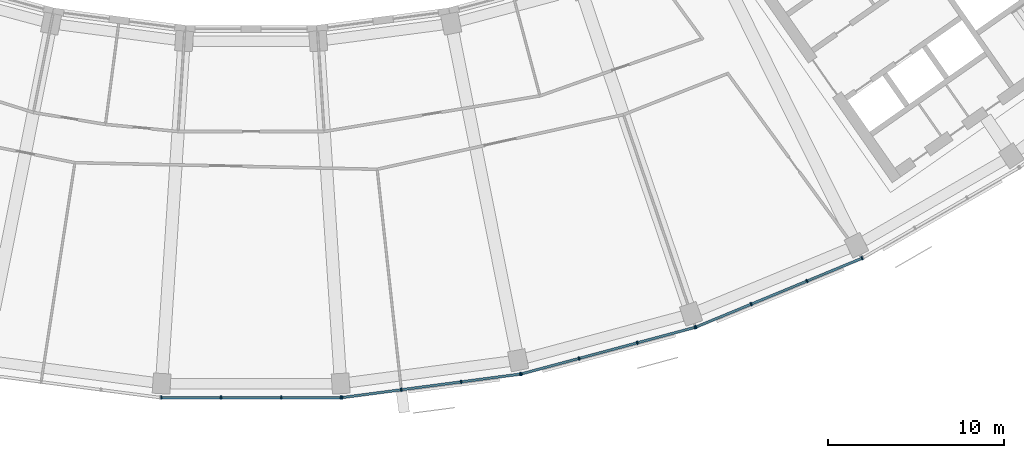
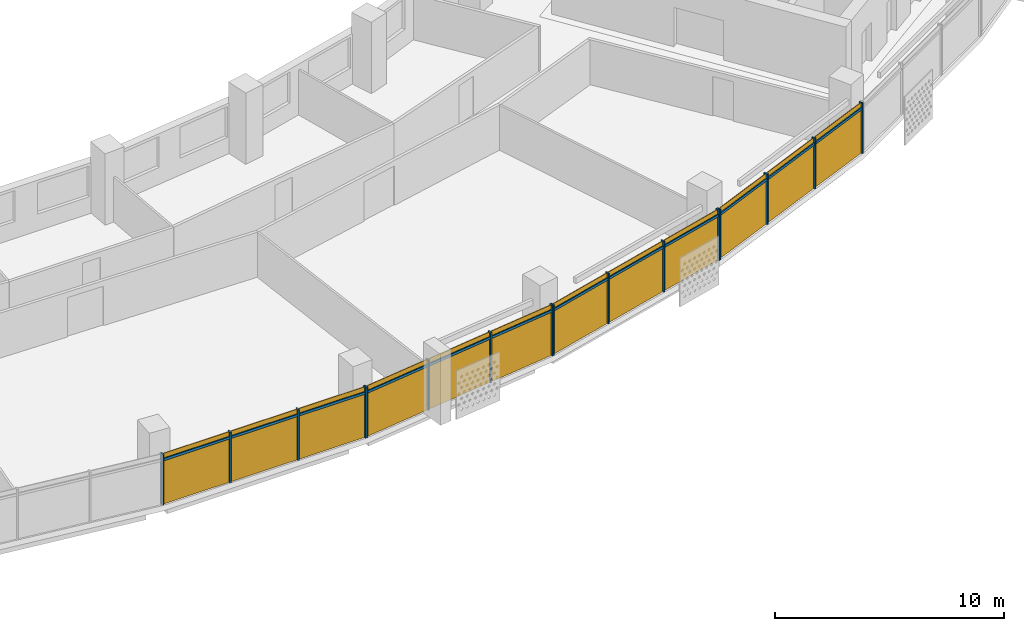
# One storey, part 21 of 28: 28 members, 4 curtain walls.
"""IFC4 building model written with IfcOpenShell, lengths in metres."""

from ifc_helpers import new_model, si_unit, direction, frame, origin, origin_2d, place, context, subcontext, project, spatial, rectangle, extrude, material, material_profile, profile_set, type_object, element, aggregate, save


model = new_model("IFC4")

# Units and contexts
model_context = context("Model", 3, precision=1e-05, world=origin(), true_north=direction((0.0, 1.0)))
body_context = subcontext(model_context, "Body", "Model", "MODEL_VIEW")
ifc_project = project(units=[si_unit("LENGTHUNIT", "METRE"), si_unit("AREAUNIT", "SQUARE_METRE"), si_unit("VOLUMEUNIT", "CUBIC_METRE"), si_unit("PLANEANGLEUNIT", "RADIAN"), si_unit("MASSUNIT", "GRAM", prefix="KILO")], contexts=[model_context])

# Member
ifc_material = material(Name="Aluminium 6063-T6 anodised", Category="aluminium")
ifc_material_profile_1 = material_profile(ifc_material, rectangle(XDim=0.199951171875, YDim=0.070068359375, at=origin_2d()))
ifc_profile_set_1 = profile_set([ifc_material_profile_1], Name="Aluminium 6063-T6 anodised")
member_type_1 = type_object("IfcMemberType", Name="Mullion 70 x 200 aluminium", PredefinedType="MULLION", material=ifc_profile_set_1)
site_placement = place(None, origin())
building_placement = place(site_placement, origin())
storey_placement = place(building_placement, frame((0.0, 0.0, 215.10009765625)))
member_1_placement = place(storey_placement, frame((-5.10888671875, -78.381591796875, 0.0), z_axis=(0.0, 0.0, 1.0), x_axis=(0.0, 1.0, 0.0)))
member_1 = element("IfcMember", 1, at=member_1_placement, type_object=member_type_1, Name="e-cw1-L51-out08/M00", PredefinedType="MULLION", context=body_context, shape_type="SweptSolid", body=[
    extrude(rectangle(XDim=0.199951171875, YDim=0.070068359375, at=origin_2d()), origin(), (0.0, 0.0, 1.0), 2.699951171875),
])

member_2_placement = place(storey_placement, frame((-1.714599609375, -78.381591796875, 0.0), z_axis=(0.0, 0.0, 1.0), x_axis=(0.0, 1.0, 0.0)))
member_2 = element("IfcMember", 2, at=member_2_placement, type_object=member_type_1, Name="e-cw1-L51-out08/M01", PredefinedType="MULLION", context=body_context, shape_type="SweptSolid", body=[
    extrude(rectangle(XDim=0.199951171875, YDim=0.070068359375, at=origin_2d()), origin(), (0.0, 0.0, 1.0), 2.699951171875),
])

member_3_placement = place(storey_placement, frame((1.714599609375, -78.381591796875, 0.0), z_axis=(0.0, 0.0, 1.0), x_axis=(0.0, 1.0, 0.0)))
member_3 = element("IfcMember", 3, at=member_3_placement, type_object=member_type_1, Name="e-cw1-L51-out08/M02", PredefinedType="MULLION", context=body_context, shape_type="SweptSolid", body=[
    extrude(rectangle(XDim=0.199951171875, YDim=0.070068359375, at=origin_2d()), origin(), (0.0, 0.0, 1.0), 2.699951171875),
])

member_4_placement = place(storey_placement, frame((5.10888671875, -78.381591796875, 0.0), z_axis=(0.0, 0.0, 1.0), x_axis=(0.0, 1.0, 0.0)))
member_4 = element("IfcMember", 4, at=member_4_placement, type_object=member_type_1, Name="e-cw1-L51-out08/M03", PredefinedType="MULLION", context=body_context, shape_type="SweptSolid", body=[
    extrude(rectangle(XDim=0.199951171875, YDim=0.070068359375, at=origin_2d()), origin(), (0.0, 0.0, 1.0), 2.699951171875),
])

member_5_placement = place(storey_placement, frame((5.16552734375, -78.3779296875, 0.0), z_axis=(0.0, 0.0, 1.0), x_axis=(-0.13052619222, 0.991444861374, 0.0)))
member_5 = element("IfcMember", 5, at=member_5_placement, type_object=member_type_1, Name="e-cw1-L51-out09/M00", PredefinedType="MULLION", context=body_context, shape_type="SweptSolid", body=[
    extrude(rectangle(XDim=0.199951171875, YDim=0.070068359375, at=origin_2d()), origin(), (0.0, 0.0, 1.0), 2.699951171875),
])

member_6_placement = place(storey_placement, frame((8.53076171875, -77.934814453125, 0.0), z_axis=(0.0, 0.0, 1.0), x_axis=(-0.13052619222, 0.991444861374, 0.0)))
member_6 = element("IfcMember", 6, at=member_6_placement, type_object=member_type_1, Name="e-cw1-L51-out09/M01", PredefinedType="MULLION", context=body_context, shape_type="SweptSolid", body=[
    extrude(rectangle(XDim=0.199951171875, YDim=0.070068359375, at=origin_2d()), origin(), (0.0, 0.0, 1.0), 2.699951171875),
])

member_7_placement = place(storey_placement, frame((11.930908203125, -77.4873046875, 0.0), z_axis=(0.0, 0.0, 1.0), x_axis=(-0.13052619222, 0.991444861374, 0.0)))
member_7 = element("IfcMember", 7, at=member_7_placement, type_object=member_type_1, Name="e-cw1-L51-out09/M02", PredefinedType="MULLION", context=body_context, shape_type="SweptSolid", body=[
    extrude(rectangle(XDim=0.199951171875, YDim=0.070068359375, at=origin_2d()), origin(), (0.0, 0.0, 1.0), 2.699951171875),
])

member_8_placement = place(storey_placement, frame((15.296142578125, -77.044189453125, 0.0), z_axis=(0.0, 0.0, 1.0), x_axis=(-0.13052619222, 0.991444861374, 0.0)))
member_8 = element("IfcMember", 8, at=member_8_placement, type_object=member_type_1, Name="e-cw1-L51-out09/M03", PredefinedType="MULLION", context=body_context, shape_type="SweptSolid", body=[
    extrude(rectangle(XDim=0.199951171875, YDim=0.070068359375, at=origin_2d()), origin(), (0.0, 0.0, 1.0), 2.699951171875),
])

member_9_placement = place(storey_placement, frame((15.351806640625, -77.033203125, 0.0), z_axis=(0.0, 0.0, 1.0), x_axis=(-0.258819045103, 0.965925826289, 0.0)))
member_9 = element("IfcMember", 9, at=member_9_placement, type_object=member_type_1, Name="e-cw1-L51-out10/M00", PredefinedType="MULLION", context=body_context, shape_type="SweptSolid", body=[
    extrude(rectangle(XDim=0.199951171875, YDim=0.070068359375, at=origin_2d()), origin(), (0.0, 0.0, 1.0), 2.699951171875),
])

member_10_placement = place(storey_placement, frame((18.63037109375, -76.154541015625, 0.0), z_axis=(0.0, 0.0, 1.0), x_axis=(-0.258819045103, 0.965925826289, 0.0)))
member_10 = element("IfcMember", 10, at=member_10_placement, type_object=member_type_1, Name="e-cw1-L51-out10/M01", PredefinedType="MULLION", context=body_context, shape_type="SweptSolid", body=[
    extrude(rectangle(XDim=0.199951171875, YDim=0.070068359375, at=origin_2d()), origin(), (0.0, 0.0, 1.0), 2.699951171875),
])

member_11_placement = place(storey_placement, frame((21.94287109375, -75.26708984375, 0.0), z_axis=(0.0, 0.0, 1.0), x_axis=(-0.258819045103, 0.965925826289, 0.0)))
member_11 = element("IfcMember", 11, at=member_11_placement, type_object=member_type_1, Name="e-cw1-L51-out10/M02", PredefinedType="MULLION", context=body_context, shape_type="SweptSolid", body=[
    extrude(rectangle(XDim=0.199951171875, YDim=0.070068359375, at=origin_2d()), origin(), (0.0, 0.0, 1.0), 2.699951171875),
])

member_12_placement = place(storey_placement, frame((25.221435546875, -74.388427734375, 0.0), z_axis=(0.0, 0.0, 1.0), x_axis=(-0.258819045103, 0.965925826289, 0.0)))
member_12 = element("IfcMember", 12, at=member_12_placement, type_object=member_type_1, Name="e-cw1-L51-out10/M03", PredefinedType="MULLION", context=body_context, shape_type="SweptSolid", body=[
    extrude(rectangle(XDim=0.199951171875, YDim=0.070068359375, at=origin_2d()), origin(), (0.0, 0.0, 1.0), 2.699951171875),
])

member_13_placement = place(storey_placement, frame((25.275390625, -74.370361328125, 0.0), z_axis=(0.0, 0.0, 1.0), x_axis=(-0.382683432365, 0.923879532511, 0.0)))
member_13 = element("IfcMember", 13, at=member_13_placement, type_object=member_type_1, Name="e-cw1-L51-out11/M00", PredefinedType="MULLION", context=body_context, shape_type="SweptSolid", body=[
    extrude(rectangle(XDim=0.199951171875, YDim=0.070068359375, at=origin_2d()), origin(), (0.0, 0.0, 1.0), 2.699951171875),
])

member_14_placement = place(storey_placement, frame((28.4111328125, -73.0712890625, 0.0), z_axis=(0.0, 0.0, 1.0), x_axis=(-0.382683432365, 0.923879532511, 0.0)))
member_14 = element("IfcMember", 14, at=member_14_placement, type_object=member_type_1, Name="e-cw1-L51-out11/M01", PredefinedType="MULLION", context=body_context, shape_type="SweptSolid", body=[
    extrude(rectangle(XDim=0.199951171875, YDim=0.070068359375, at=origin_2d()), origin(), (0.0, 0.0, 1.0), 2.699951171875),
])

member_15_placement = place(storey_placement, frame((31.57958984375, -71.759033203125, 0.0), z_axis=(0.0, 0.0, 1.0), x_axis=(-0.382683432365, 0.923879532511, 0.0)))
member_15 = element("IfcMember", 15, at=member_15_placement, type_object=member_type_1, Name="e-cw1-L51-out11/M02", PredefinedType="MULLION", context=body_context, shape_type="SweptSolid", body=[
    extrude(rectangle(XDim=0.199951171875, YDim=0.070068359375, at=origin_2d()), origin(), (0.0, 0.0, 1.0), 2.699951171875),
])

member_16_placement = place(storey_placement, frame((34.71533203125, -70.4599609375, 0.0), z_axis=(0.0, 0.0, 1.0), x_axis=(-0.382683432365, 0.923879532511, 0.0)))
member_16 = element("IfcMember", 16, at=member_16_placement, type_object=member_type_1, Name="e-cw1-L51-out11/M03", PredefinedType="MULLION", context=body_context, shape_type="SweptSolid", body=[
    extrude(rectangle(XDim=0.199951171875, YDim=0.070068359375, at=origin_2d()), origin(), (0.0, 0.0, 1.0), 2.699951171875),
])

ifc_material_profile_2 = material_profile(ifc_material, rectangle(XDim=0.139892578125, YDim=0.1201171875, at=origin_2d()))
ifc_profile_set_2 = profile_set([ifc_material_profile_2], Name="Aluminium 6063-T6 anodised")
member_type_2 = type_object("IfcMemberType", Name="Transom 120 x 140 aluminium", PredefinedType="USERDEFINED", material=ifc_profile_set_2)
member_17_placement = place(storey_placement, frame((-5.073974609375, -78.381591796875, 2.39990234375), z_axis=(1.0, 0.0, 0.0), x_axis=(0.0, 1.0, 0.0)))
member_17 = element("IfcMember", 17, at=member_17_placement, type_object=member_type_2, Name="e-cw1-L51-out08/T00", ObjectType="TRANSOM", PredefinedType="USERDEFINED", context=body_context, shape_type="SweptSolid", body=[
    extrude(rectangle(XDim=0.139892578125, YDim=0.1201171875, at=origin_2d()), origin(), (0.0, 0.0, 1.0), 3.32421875),
])

member_18_placement = place(storey_placement, frame((-1.6796875, -78.381591796875, 2.39990234375), z_axis=(1.0, 0.0, 0.0), x_axis=(0.0, 1.0, 0.0)))
member_18 = element("IfcMember", 18, at=member_18_placement, type_object=member_type_2, Name="e-cw1-L51-out08/T01", ObjectType="TRANSOM", PredefinedType="USERDEFINED", context=body_context, shape_type="SweptSolid", body=[
    extrude(rectangle(XDim=0.139892578125, YDim=0.1201171875, at=origin_2d()), origin(), (0.0, 0.0, 1.0), 3.359375),
])

member_19_placement = place(storey_placement, frame((1.749755859375, -78.381591796875, 2.39990234375), z_axis=(1.0, 0.0, 0.0), x_axis=(0.0, 1.0, 0.0)))
member_19 = element("IfcMember", 19, at=member_19_placement, type_object=member_type_2, Name="e-cw1-L51-out08/T02", ObjectType="TRANSOM", PredefinedType="USERDEFINED", context=body_context, shape_type="SweptSolid", body=[
    extrude(rectangle(XDim=0.139892578125, YDim=0.1201171875, at=origin_2d()), origin(), (0.0, 0.0, 1.0), 3.32421875),
])

member_20_placement = place(storey_placement, frame((5.2001953125, -78.373291015625, 2.39990234375), z_axis=(0.991447795146, 0.130503906072, 0.0), x_axis=(-0.130503906072, 0.991447795146, 0.0)))
member_20 = element("IfcMember", 20, at=member_20_placement, type_object=member_type_2, Name="e-cw1-L51-out09/T00", ObjectType="TRANSOM", PredefinedType="USERDEFINED", context=body_context, shape_type="SweptSolid", body=[
    extrude(rectangle(XDim=0.139892578125, YDim=0.1201171875, at=origin_2d()), origin(), (0.0, 0.0, 1.0), 3.32421875),
])

member_21_placement = place(storey_placement, frame((8.565673828125, -77.93017578125, 2.39990234375), z_axis=(0.991444893088, 0.130525951326, 0.0), x_axis=(-0.130525951326, 0.991444893088, 0.0)))
member_21 = element("IfcMember", 21, at=member_21_placement, type_object=member_type_2, Name="e-cw1-L51-out09/T01", ObjectType="TRANSOM", PredefinedType="USERDEFINED", context=body_context, shape_type="SweptSolid", body=[
    extrude(rectangle(XDim=0.139892578125, YDim=0.1201171875, at=origin_2d()), origin(), (0.0, 0.0, 1.0), 3.359375),
])

member_22_placement = place(storey_placement, frame((11.965576171875, -77.482666015625, 2.39990234375), z_axis=(0.991447795146, 0.130503906072, 0.0), x_axis=(-0.130503906072, 0.991447795146, 0.0)))
member_22 = element("IfcMember", 22, at=member_22_placement, type_object=member_type_2, Name="e-cw1-L51-out09/T02", ObjectType="TRANSOM", PredefinedType="USERDEFINED", context=body_context, shape_type="SweptSolid", body=[
    extrude(rectangle(XDim=0.139892578125, YDim=0.1201171875, at=origin_2d()), origin(), (0.0, 0.0, 1.0), 3.32421875),
])

member_23_placement = place(storey_placement, frame((15.385498046875, -77.024169921875, 2.39990234375), z_axis=(0.965913629723, 0.258864559019, 0.0), x_axis=(-0.258864559019, 0.965913629723, 0.0)))
member_23 = element("IfcMember", 23, at=member_23_placement, type_object=member_type_2, Name="e-cw1-L51-out10/T00", ObjectType="TRANSOM", PredefinedType="USERDEFINED", context=body_context, shape_type="SweptSolid", body=[
    extrude(rectangle(XDim=0.139892578125, YDim=0.1201171875, at=origin_2d()), origin(), (0.0, 0.0, 1.0), 3.324462890625),
])

member_24_placement = place(storey_placement, frame((18.664306640625, -76.1455078125, 2.39990234375), z_axis=(0.965931507774, 0.258797840582, 0.0), x_axis=(-0.258797840582, 0.965931507774, 0.0)))
member_24 = element("IfcMember", 24, at=member_24_placement, type_object=member_type_2, Name="e-cw1-L51-out10/T01", ObjectType="TRANSOM", PredefinedType="USERDEFINED", context=body_context, shape_type="SweptSolid", body=[
    extrude(rectangle(XDim=0.139892578125, YDim=0.1201171875, at=origin_2d()), origin(), (0.0, 0.0, 1.0), 3.359375),
])

member_25_placement = place(storey_placement, frame((21.976806640625, -75.258056640625, 2.39990234375), z_axis=(0.965908708139, 0.25888292246, 0.0), x_axis=(-0.25888292246, 0.965908708139, 0.0)))
member_25 = element("IfcMember", 25, at=member_25_placement, type_object=member_type_2, Name="e-cw1-L51-out10/T02", ObjectType="TRANSOM", PredefinedType="USERDEFINED", context=body_context, shape_type="SweptSolid", body=[
    extrude(rectangle(XDim=0.139892578125, YDim=0.1201171875, at=origin_2d()), origin(), (0.0, 0.0, 1.0), 3.32421875),
])

member_26_placement = place(storey_placement, frame((25.3076171875, -74.35693359375, 2.39990234375), z_axis=(0.923874511193, 0.382695554676, 0.0), x_axis=(-0.382695554676, 0.923874511193, 0.0)))
member_26 = element("IfcMember", 26, at=member_26_placement, type_object=member_type_2, Name="e-cw1-L51-out11/T00", ObjectType="TRANSOM", PredefinedType="USERDEFINED", context=body_context, shape_type="SweptSolid", body=[
    extrude(rectangle(XDim=0.139892578125, YDim=0.1201171875, at=origin_2d()), origin(), (0.0, 0.0, 1.0), 3.324462890625),
])

member_27_placement = place(storey_placement, frame((28.443603515625, -73.057861328125, 2.39990234375), z_axis=(0.923891938088, 0.38265348128, 0.0), x_axis=(-0.38265348128, 0.923891938088, 0.0)))
member_27 = element("IfcMember", 27, at=member_27_placement, type_object=member_type_2, Name="e-cw1-L51-out11/T01", ObjectType="TRANSOM", PredefinedType="USERDEFINED", context=body_context, shape_type="SweptSolid", body=[
    extrude(rectangle(XDim=0.139892578125, YDim=0.1201171875, at=origin_2d()), origin(), (0.0, 0.0, 1.0), 3.359130859375),
])

member_28_placement = place(storey_placement, frame((31.61181640625, -71.74560546875, 2.39990234375), z_axis=(0.923874511193, 0.382695554676, 0.0), x_axis=(-0.382695554676, 0.923874511193, 0.0)))
member_28 = element("IfcMember", 28, at=member_28_placement, type_object=member_type_2, Name="e-cw1-L51-out11/T02", ObjectType="TRANSOM", PredefinedType="USERDEFINED", context=body_context, shape_type="SweptSolid", body=[
    extrude(rectangle(XDim=0.139892578125, YDim=0.1201171875, at=origin_2d()), origin(), (0.0, 0.0, 1.0), 3.324462890625),
])

# Site, building, storey
site = spatial("IfcSite", under=ifc_project, at=site_placement, CompositionType="ELEMENT")
building = spatial("IfcBuilding", under=site, at=building_placement, Name="Qamariyya Broadcast Tower", CompositionType="ELEMENT")
storey = spatial("IfcBuildingStorey", under=building, at=storey_placement, Name="L51", CompositionType="ELEMENT", Elevation=215.10009765625)

# Curtain wall
curtain_wall_type = type_object("IfcCurtainWallType", Name="Unitised curtain wall, anodised aluminium", PredefinedType="NOTDEFINED", material=ifc_material)
curtain_wall_1_placement = place(storey_placement, origin())
curtain_wall_1 = element("IfcCurtainWall", 29, at=curtain_wall_1_placement, inside=storey, type_object=curtain_wall_type, Name="e-cw1-L51-out08", PredefinedType="NOTDEFINED", context=body_context, shape_type="SweptSolid", body=[
    extrude(rectangle(XDim=3.324462890625, YDim=0.031982421875, at=origin_2d()), frame((-3.411865234375, -78.381591796875, 0.0), x_axis=(1.0, 0.0, 0.0)), (0.0, 0.0, 1.0), 2.340087890625),
    extrude(rectangle(XDim=3.324462890625, YDim=0.031982421875, at=origin_2d()), frame((-3.411865234375, -78.381591796875, 2.4599609375), x_axis=(1.0, 0.0, 0.0)), (0.0, 0.0, 1.0), 0.239990234375),
    extrude(rectangle(XDim=3.359375, YDim=0.031982421875, at=origin_2d()), frame((0.0, -78.381591796875, 0.0), x_axis=(1.0, 0.0, 0.0)), (0.0, 0.0, 1.0), 2.340087890625),
    extrude(rectangle(XDim=3.359375, YDim=0.031982421875, at=origin_2d()), frame((0.0, -78.381591796875, 2.4599609375), x_axis=(1.0, 0.0, 0.0)), (0.0, 0.0, 1.0), 0.239990234375),
    extrude(rectangle(XDim=3.324462890625, YDim=0.031982421875, at=origin_2d()), frame((3.411865234375, -78.381591796875, 0.0), x_axis=(1.0, 0.0, 0.0)), (0.0, 0.0, 1.0), 2.340087890625),
    extrude(rectangle(XDim=3.324462890625, YDim=0.031982421875, at=origin_2d()), frame((3.411865234375, -78.381591796875, 2.4599609375), x_axis=(1.0, 0.0, 0.0)), (0.0, 0.0, 1.0), 0.239990234375),
])

aggregate(curtain_wall_1, [member_1, member_2, member_3, member_4, member_17, member_18, member_19])

curtain_wall_2_placement = place(storey_placement, origin())
curtain_wall_2 = element("IfcCurtainWall", 30, at=curtain_wall_2_placement, inside=storey, type_object=curtain_wall_type, Name="e-cw1-L51-out09", PredefinedType="NOTDEFINED", context=body_context, shape_type="SweptSolid", body=[
    extrude(rectangle(XDim=3.32421875, YDim=0.031982421875, at=origin_2d()), frame((6.84814453125, -78.156494140625, 0.0), x_axis=(0.991442741341, 0.130542294457, 0.0)), (0.0, 0.0, 1.0), 2.340087890625),
    extrude(rectangle(XDim=3.32421875, YDim=0.031982421875, at=origin_2d()), frame((6.84814453125, -78.156494140625, 2.4599609375), x_axis=(0.991442741341, 0.130542294457, 0.0)), (0.0, 0.0, 1.0), 0.239990234375),
    extrude(rectangle(XDim=3.359375, YDim=0.031982421875, at=origin_2d()), frame((10.23095703125, -77.7109375, 0.0), x_axis=(0.991442741341, 0.130542294457, 0.0)), (0.0, 0.0, 1.0), 2.340087890625),
    extrude(rectangle(XDim=3.359375, YDim=0.031982421875, at=origin_2d()), frame((10.23095703125, -77.7109375, 2.4599609375), x_axis=(0.991442741341, 0.130542294457, 0.0)), (0.0, 0.0, 1.0), 0.239990234375),
    extrude(rectangle(XDim=3.32421875, YDim=0.031982421875, at=origin_2d()), frame((13.613525390625, -77.265625, 0.0), x_axis=(0.991442741341, 0.130542294457, 0.0)), (0.0, 0.0, 1.0), 2.340087890625),
    extrude(rectangle(XDim=3.32421875, YDim=0.031982421875, at=origin_2d()), frame((13.613525390625, -77.265625, 2.4599609375), x_axis=(0.991442741341, 0.130542294457, 0.0)), (0.0, 0.0, 1.0), 0.239990234375),
])

aggregate(curtain_wall_2, [member_5, member_6, member_7, member_8, member_20, member_21, member_22])

curtain_wall_3_placement = place(storey_placement, origin())
curtain_wall_3 = element("IfcCurtainWall", 31, at=curtain_wall_3_placement, inside=storey, type_object=curtain_wall_type, Name="e-cw1-L51-out10", PredefinedType="NOTDEFINED", context=body_context, shape_type="SweptSolid", body=[
    extrude(rectangle(XDim=3.324462890625, YDim=0.031982421875, at=origin_2d()), frame((16.990966796875, -76.593994140625, 0.0), x_axis=(0.965923476514, 0.258827814424, 0.0)), (0.0, 0.0, 1.0), 2.340087890625),
    extrude(rectangle(XDim=3.324462890625, YDim=0.031982421875, at=origin_2d()), frame((16.990966796875, -76.593994140625, 2.4599609375), x_axis=(0.965923476514, 0.258827814424, 0.0)), (0.0, 0.0, 1.0), 0.239990234375),
    extrude(rectangle(XDim=3.359375, YDim=0.031982421875, at=origin_2d()), frame((20.28662109375, -75.7109375, 0.0), x_axis=(0.965923476514, 0.258827814424, 0.0)), (0.0, 0.0, 1.0), 2.340087890625),
    extrude(rectangle(XDim=3.359375, YDim=0.031982421875, at=origin_2d()), frame((20.28662109375, -75.7109375, 2.4599609375), x_axis=(0.965923476514, 0.258827814424, 0.0)), (0.0, 0.0, 1.0), 0.239990234375),
    extrude(rectangle(XDim=3.324462890625, YDim=0.031982421875, at=origin_2d()), frame((23.582275390625, -74.82763671875, 0.0), x_axis=(0.965923476514, 0.258827814424, 0.0)), (0.0, 0.0, 1.0), 2.340087890625),
    extrude(rectangle(XDim=3.324462890625, YDim=0.031982421875, at=origin_2d()), frame((23.582275390625, -74.82763671875, 2.4599609375), x_axis=(0.965923476514, 0.258827814424, 0.0)), (0.0, 0.0, 1.0), 0.239990234375),
])

aggregate(curtain_wall_3, [member_9, member_10, member_11, member_12, member_23, member_24, member_25])

curtain_wall_4_placement = place(storey_placement, origin())
curtain_wall_4 = element("IfcCurtainWall", 32, at=curtain_wall_4_placement, inside=storey, type_object=curtain_wall_type, Name="e-cw1-L51-out11", PredefinedType="NOTDEFINED", context=body_context, shape_type="SweptSolid", body=[
    extrude(rectangle(XDim=3.32421875, YDim=0.031982421875, at=origin_2d()), frame((26.84326171875, -73.720703125, 0.0), x_axis=(0.923880895135, 0.382680142683, 0.0)), (0.0, 0.0, 1.0), 2.340087890625),
    extrude(rectangle(XDim=3.32421875, YDim=0.031982421875, at=origin_2d()), frame((26.84326171875, -73.720703125, 2.4599609375), x_axis=(0.923880895135, 0.382680142683, 0.0)), (0.0, 0.0, 1.0), 0.239990234375),
    extrude(rectangle(XDim=3.359375, YDim=0.031982421875, at=origin_2d()), frame((29.995361328125, -72.4150390625, 0.0), x_axis=(0.923880895135, 0.382680142683, 0.0)), (0.0, 0.0, 1.0), 2.340087890625),
    extrude(rectangle(XDim=3.359375, YDim=0.031982421875, at=origin_2d()), frame((29.995361328125, -72.4150390625, 2.4599609375), x_axis=(0.923880895135, 0.382680142683, 0.0)), (0.0, 0.0, 1.0), 0.239990234375),
    extrude(rectangle(XDim=3.32421875, YDim=0.031982421875, at=origin_2d()), frame((33.1474609375, -71.109375, 0.0), x_axis=(0.923880895135, 0.382680142683, 0.0)), (0.0, 0.0, 1.0), 2.340087890625),
    extrude(rectangle(XDim=3.32421875, YDim=0.031982421875, at=origin_2d()), frame((33.1474609375, -71.109375, 2.4599609375), x_axis=(0.923880895135, 0.382680142683, 0.0)), (0.0, 0.0, 1.0), 0.239990234375),
])

aggregate(curtain_wall_4, [member_13, member_14, member_15, member_16, member_26, member_27, member_28])

save(model, "model.ifc")
